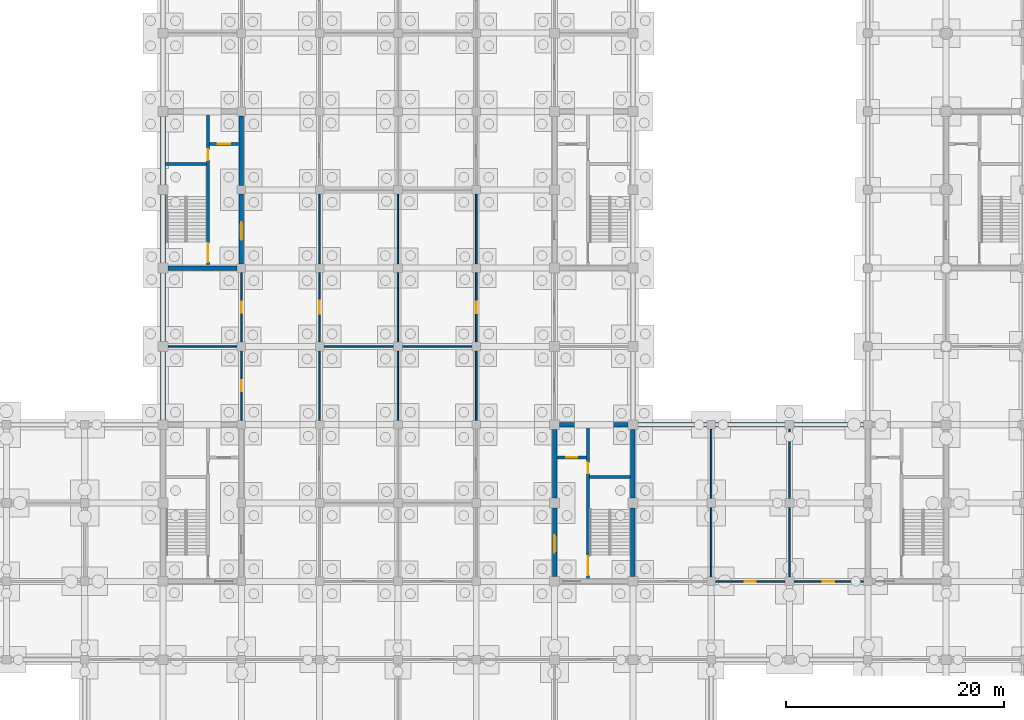
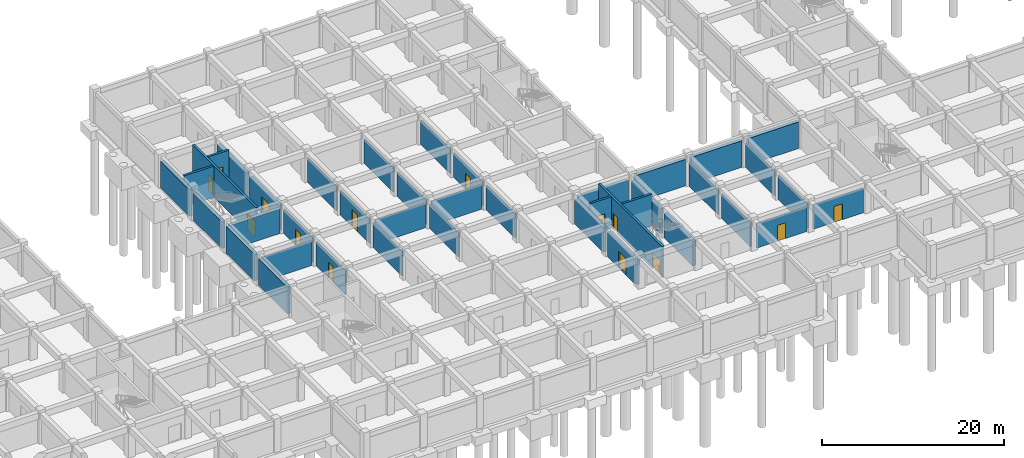
# One storey, part 17 of 25: 41 walls, 14 doors, 14 openings.
"""IFC4 building model written with IfcOpenShell, lengths in metres."""

from ifc_helpers import new_model, si_unit, direction, frame, frame_2d, origin, place, context, subcontext, project, spatial, rectangle, extrude, material, layer, layer_set, type_object, element, fill, save


model = new_model("IFC4")

# Units and contexts
model_context = context("Model", 3, precision=1e-05, world=origin(), true_north=direction((0.0, 1.0)))
body_context = subcontext(model_context, "Body", "Model", "MODEL_VIEW")
ifc_project = project(units=[si_unit("LENGTHUNIT", "METRE"), si_unit("AREAUNIT", "SQUARE_METRE"), si_unit("VOLUMEUNIT", "CUBIC_METRE"), si_unit("PLANEANGLEUNIT", "RADIAN"), si_unit("MASSUNIT", "GRAM", prefix="KILO")], contexts=[model_context])

# Site, building, storey
site_placement = place(None, origin())
site = spatial("IfcSite", under=ifc_project, at=site_placement, CompositionType="ELEMENT")
building_placement = place(site_placement, origin())
building = spatial("IfcBuilding", under=site, at=building_placement, Name="Cendaluz Park School", CompositionType="ELEMENT")
storey_placement = place(building_placement, frame((0.0, 0.0, -4.5)))
storey = spatial("IfcBuildingStorey", under=building, at=storey_placement, Name="B1", CompositionType="ELEMENT", Elevation=-4.5)

# Wall, openings, doors
ifc_material_1 = material(Name="Concrete C40/50", Category="concrete")
ifc_layer_1 = layer(ifc_material_1, 0.280029296875)
ifc_layer_set_1 = layer_set([ifc_layer_1], Name="Concrete C40/50")
wall_type_1 = type_object("IfcWallType", Name="W-FW28", PredefinedType="SHEAR", material=ifc_layer_set_1)
wall_1_placement = place(storey_placement, frame((103.8798828125, 14.60009765625, 0.0), z_axis=(0.0, 0.0, 1.0), x_axis=(0.0, 1.0, 0.0)))
wall_1 = element("IfcWall", 1, at=wall_1_placement, inside=storey, type_object=wall_type_1, Name="WL-BA-BS3", PredefinedType="SHEAR", context=body_context, shape_type="SweptSolid", body=[
    extrude(rectangle(XDim=14.0, YDim=0.280029296875, at=frame_2d((7.0, 0.0))), origin(), (0.0, 0.0, 1.0), 4.199951171875),
])
opening_1_placement = place(wall_1_placement, frame((0.35009765625, 0.0, 0.0)))
opening_1 = element("IfcOpeningElement", 2, at=opening_1_placement, cuts=wall_1, Name="Opening DST-03", PredefinedType="OPENING", context=body_context, shape_type="SweptSolid", body=[
    extrude(rectangle(XDim=1.75, YDim=2.14990234375, at=frame_2d((0.875, 1.074951171875))), frame((0.0, 0.152099609375, 0.0), z_axis=(0.0, -1.0, 0.0), x_axis=(1.0, 0.0, 0.0)), (0.0, 0.0, 1.0), 0.303955078125),
])
opening_2_placement = place(wall_1_placement, frame((9.719970703125, 0.0, 0.0)))
opening_2 = element("IfcOpeningElement", 3, at=opening_2_placement, cuts=wall_1, Name="Opening DFC-01", PredefinedType="OPENING", context=body_context, shape_type="SweptSolid", body=[
    extrude(rectangle(XDim=1.0, YDim=2.14990234375, at=frame_2d((0.5, 1.074951171875))), frame((0.0, 0.152099609375, 0.0), z_axis=(0.0, -1.0, 0.0), x_axis=(1.0, 0.0, 0.0)), (0.0, 0.0, 1.0), 0.303955078125),
])
ifc_material_2 = material(Name="Solid Core Hardwood", Category="wood")
door_type_1 = type_object("IfcDoorType", Name="DFC-01", OperationType="NOTDEFINED", PredefinedType="DOOR", material=ifc_material_2)
door_1_placement = place(opening_2_placement, frame((1.0, 0.0, 0.0), z_axis=(0.0, 0.0, 1.0), x_axis=(-1.0, 0.0, 0.0)))
door_1 = element("IfcDoor", 4, at=door_1_placement, inside=storey, type_object=door_type_1, Name="D-B1-009", OperationType="SINGLE_SWING_LEFT", OverallHeight=2.14990234375, OverallWidth=1.0, PredefinedType="DOOR", context=body_context, shape_type="SweptSolid", body=[
    extrude(rectangle(XDim=1.0, YDim=2.14990234375, at=frame_2d((0.5, 1.074951171875))), frame((0.0, 0.02490234375, 0.0), z_axis=(0.0, -1.0, 0.0), x_axis=(1.0, 0.0, 0.0)), (0.0, 0.0, 1.0), 0.050048828125),
])
fill(opening_2, door_1)
door_type_2 = type_object("IfcDoorType", Name="DST-03", OperationType="DOUBLE_DOOR_SINGLE_SWING", PredefinedType="DOOR", material=ifc_material_2)
door_2_placement = place(opening_1_placement, frame((1.75, 0.0, 0.0), z_axis=(0.0, 0.0, 1.0), x_axis=(-1.0, 0.0, 0.0)))
door_2 = element("IfcDoor", 5, at=door_2_placement, inside=storey, type_object=door_type_2, Name="D-B1-008", OperationType="DOUBLE_DOOR_SINGLE_SWING", OverallHeight=2.14990234375, OverallWidth=1.75, PredefinedType="DOOR", context=body_context, shape_type="SweptSolid", body=[
    extrude(rectangle(XDim=1.75, YDim=2.14990234375, at=frame_2d((0.875, 1.074951171875))), frame((0.0, 0.02490234375, 0.0), z_axis=(0.0, -1.0, 0.0), x_axis=(1.0, 0.0, 0.0)), (0.0, 0.0, 1.0), 0.050048828125),
])
fill(opening_1, door_2)

# Wall
wall_2_placement = place(storey_placement, frame((104.02001953125, 23.97998046875, 0.0), z_axis=(0.0, 0.0, 1.0), x_axis=(1.0, 0.0, 0.0)))
element("IfcWall", 6, at=wall_2_placement, inside=storey, type_object=wall_type_1, Name="WL-BA-BS4", PredefinedType="SHEAR", context=body_context, shape_type="SweptSolid", body=[
    extrude(rectangle(XDim=3.780029296875, YDim=0.280029296875, at=frame_2d((1.89013671875, 0.0))), origin(), (0.0, 0.0, 1.0), 4.199951171875),
])

# Wall, opening, door
wall_3_placement = place(storey_placement, frame((101.0400390625, 25.800048828125, 0.0), z_axis=(0.0, 0.0, 1.0), x_axis=(1.0, 0.0, 0.0)))
wall_3 = element("IfcWall", 7, at=wall_3_placement, inside=storey, type_object=wall_type_1, Name="WL-BA-BS5", PredefinedType="SHEAR", context=body_context, shape_type="SweptSolid", body=[
    extrude(rectangle(XDim=2.679931640625, YDim=0.280029296875, at=frame_2d((1.33984375, 0.0))), origin(), (0.0, 0.0, 1.0), 4.199951171875),
])
opening_3_placement = place(wall_3_placement, frame((0.81494140625, 0.0, 0.0)))
opening_3 = element("IfcOpeningElement", 8, at=opening_3_placement, cuts=wall_3, Name="Opening LD-02", PredefinedType="OPENING", context=body_context, shape_type="SweptSolid", body=[
    extrude(rectangle(XDim=1.050048828125, YDim=2.199951171875, at=frame_2d((0.52490234375, 1.10009765625))), frame((0.0, 0.152099609375, 0.0), z_axis=(0.0, -1.0, 0.0), x_axis=(1.0, 0.0, 0.0)), (0.0, 0.0, 1.0), 0.303955078125),
])
ifc_material_3 = material(Name="Stainless Steel 316L", Category="steel")
door_type_3 = type_object("IfcDoorType", Name="LD-02", OperationType="DOUBLE_DOOR_SLIDING", PredefinedType="DOOR", material=ifc_material_3)
door_3_placement = place(opening_3_placement, frame((1.050048828125, 0.0, 0.0), z_axis=(0.0, 0.0, 1.0), x_axis=(-1.0, 0.0, 0.0)))
door_3 = element("IfcDoor", 9, at=door_3_placement, inside=storey, type_object=door_type_3, Name="D-B1-010", OperationType="DOUBLE_DOOR_SLIDING", OverallHeight=2.199951171875, OverallWidth=1.050048828125, PredefinedType="DOOR", context=body_context, shape_type="SweptSolid", body=[
    extrude(rectangle(XDim=1.050048828125, YDim=2.199951171875, at=frame_2d((0.52490234375, 1.10009765625))), frame((0.0, 0.02490234375, 0.0), z_axis=(0.0, -1.0, 0.0), x_axis=(1.0, 0.0, 0.0)), (0.0, 0.0, 1.0), 0.050048828125),
])
fill(opening_3, door_3)

# Wall, openings, doors
wall_4_placement = place(storey_placement, frame((68.919921875, 43.39990234375, 0.0), z_axis=(0.0, 0.0, 1.0), x_axis=(0.0, 1.0, 0.0)))
wall_4 = element("IfcWall", 10, at=wall_4_placement, inside=storey, type_object=wall_type_1, Name="WL-BA-BT2", PredefinedType="SHEAR", context=body_context, shape_type="SweptSolid", body=[
    extrude(rectangle(XDim=14.0, YDim=0.280029296875, at=frame_2d((7.0, 0.0))), origin(), (0.0, 0.0, 1.0), 4.199951171875),
])
opening_4_placement = place(wall_4_placement, frame((0.35009765625, 0.0, 0.0)))
opening_4 = element("IfcOpeningElement", 11, at=opening_4_placement, cuts=wall_4, Name="Opening DST-03", PredefinedType="OPENING", context=body_context, shape_type="SweptSolid", body=[
    extrude(rectangle(XDim=1.75, YDim=2.14990234375, at=frame_2d((0.875, 1.074951171875))), frame((0.0, 0.152099609375, 0.0), z_axis=(0.0, -1.0, 0.0), x_axis=(1.0, 0.0, 0.0)), (0.0, 0.0, 1.0), 0.303955078125),
])
opening_5_placement = place(wall_4_placement, frame((9.719970703125, 0.0, 0.0)))
opening_5 = element("IfcOpeningElement", 12, at=opening_5_placement, cuts=wall_4, Name="Opening DFC-01", PredefinedType="OPENING", context=body_context, shape_type="SweptSolid", body=[
    extrude(rectangle(XDim=1.0, YDim=2.14990234375, at=frame_2d((0.5, 1.074951171875))), frame((0.0, 0.152099609375, 0.0), z_axis=(0.0, -1.0, 0.0), x_axis=(1.0, 0.0, 0.0)), (0.0, 0.0, 1.0), 0.303955078125),
])
door_4_placement = place(opening_5_placement, origin())
door_4 = element("IfcDoor", 13, at=door_4_placement, inside=storey, type_object=door_type_1, Name="D-B1-013", OperationType="SINGLE_SWING_LEFT", OverallHeight=2.14990234375, OverallWidth=1.0, PredefinedType="DOOR", context=body_context, shape_type="SweptSolid", body=[
    extrude(rectangle(XDim=1.0, YDim=2.14990234375, at=frame_2d((0.5, 1.074951171875))), frame((0.0, 0.02490234375, 0.0), z_axis=(0.0, -1.0, 0.0), x_axis=(1.0, 0.0, 0.0)), (0.0, 0.0, 1.0), 0.050048828125),
])
fill(opening_5, door_4)
door_5_placement = place(opening_4_placement, origin())
door_5 = element("IfcDoor", 14, at=door_5_placement, inside=storey, type_object=door_type_2, Name="D-B1-012", OperationType="DOUBLE_DOOR_SINGLE_SWING", OverallHeight=2.14990234375, OverallWidth=1.75, PredefinedType="DOOR", context=body_context, shape_type="SweptSolid", body=[
    extrude(rectangle(XDim=1.75, YDim=2.14990234375, at=frame_2d((0.875, 1.074951171875))), frame((0.0, 0.02490234375, 0.0), z_axis=(0.0, -1.0, 0.0), x_axis=(1.0, 0.0, 0.0)), (0.0, 0.0, 1.0), 0.050048828125),
])
fill(opening_4, door_5)

# Wall
wall_5_placement = place(storey_placement, frame((65.0, 52.780029296875, 0.0), z_axis=(0.0, 0.0, 1.0), x_axis=(1.0, 0.0, 0.0)))
element("IfcWall", 15, at=wall_5_placement, inside=storey, type_object=wall_type_1, Name="WL-BA-BT3", PredefinedType="SHEAR", context=body_context, shape_type="SweptSolid", body=[
    extrude(rectangle(XDim=3.780029296875, YDim=0.280029296875, at=frame_2d((1.89013671875, 0.0))), origin(), (0.0, 0.0, 1.0), 4.199951171875),
])

# Wall, opening, door
wall_6_placement = place(storey_placement, frame((69.080078125, 54.60009765625, 0.0), z_axis=(0.0, 0.0, 1.0), x_axis=(1.0, 0.0, 0.0)))
wall_6 = element("IfcWall", 16, at=wall_6_placement, inside=storey, type_object=wall_type_1, Name="WL-BA-BT4", PredefinedType="SHEAR", context=body_context, shape_type="SweptSolid", body=[
    extrude(rectangle(XDim=2.679931640625, YDim=0.280029296875, at=frame_2d((1.33984375, 0.0))), origin(), (0.0, 0.0, 1.0), 4.199951171875),
])
opening_6_placement = place(wall_6_placement, frame((0.764892578125, 0.0, 0.0)))
opening_6 = element("IfcOpeningElement", 17, at=opening_6_placement, cuts=wall_6, Name="Opening LD-01", PredefinedType="OPENING", context=body_context, shape_type="SweptSolid", body=[
    extrude(rectangle(XDim=1.14990234375, YDim=2.199951171875, at=frame_2d((0.574951171875, 1.10009765625))), frame((0.0, 0.152099609375, 0.0), z_axis=(0.0, -1.0, 0.0), x_axis=(1.0, 0.0, 0.0)), (0.0, 0.0, 1.0), 0.303955078125),
])
door_type_4 = type_object("IfcDoorType", Name="LD-01", OperationType="DOUBLE_DOOR_SLIDING", PredefinedType="DOOR", material=ifc_material_3)
door_6_placement = place(opening_6_placement, frame((1.14990234375, 0.0, 0.0), z_axis=(0.0, 0.0, 1.0), x_axis=(-1.0, 0.0, 0.0)))
door_6 = element("IfcDoor", 18, at=door_6_placement, inside=storey, type_object=door_type_4, Name="D-B1-014", OperationType="DOUBLE_DOOR_SLIDING", OverallHeight=2.199951171875, OverallWidth=1.14990234375, PredefinedType="DOOR", context=body_context, shape_type="SweptSolid", body=[
    extrude(rectangle(XDim=1.14990234375, YDim=2.199951171875, at=frame_2d((0.574951171875, 1.10009765625))), frame((0.0, 0.02490234375, 0.0), z_axis=(0.0, -1.0, 0.0), x_axis=(1.0, 0.0, 0.0)), (0.0, 0.0, 1.0), 0.050048828125),
])
fill(opening_6, door_6)

# Walls
ifc_layer_2 = layer(ifc_material_1, 0.449951171875)
ifc_layer_set_2 = layer_set([ifc_layer_2], Name="Concrete C40/50")
wall_type_2 = type_object("IfcWallType", Name="W-RT45", PredefinedType="SOLIDWALL", material=ifc_layer_set_2)
for number, where, z_axis, x_axis, name in (
    (19, (64.800048828125, 29.25, 0.0), (0.0, 0.0, 1.0), (0.0, 1.0, 0.0), "WL-BA-AF5"),
    (20, (64.800048828125, 36.449951171875, 0.0), (0.0, 0.0, 1.0), (0.0, 1.0, 0.0), "WL-BA-AF6"),
):
    element("IfcWall", number, at=place(storey_placement, frame(where, z_axis=z_axis, x_axis=x_axis)), inside=storey, type_object=wall_type_2, Name=name, PredefinedType="SOLIDWALL", context=body_context, shape_type="SweptSolid", body=[
        extrude(rectangle(XDim=6.300048828125, YDim=0.449951171875, at=frame_2d((3.14990234375, 0.0))), origin(), (0.0, 0.0, 1.0), 3.570068359375),
    ])
wall_7_placement = place(storey_placement, frame((108.449951171875, 28.800048828125, 0.0), z_axis=(0.0, 0.0, 1.0), x_axis=(1.0, 0.0, 0.0)))
element("IfcWall", 21, at=wall_7_placement, inside=storey, type_object=wall_type_2, Name="WL-BA-AH6", PredefinedType="SOLIDWALL", context=body_context, shape_type="SweptSolid", body=[
    extrude(rectangle(XDim=6.35009765625, YDim=0.449951171875, at=frame_2d((3.175048828125, 0.0))), origin(), (0.0, 0.0, 1.0), 3.570068359375),
])
for number, where, z_axis, x_axis, name in (
    (22, (115.60009765625, 28.800048828125, 0.0), (0.0, 0.0, 1.0), (1.0, 0.0, 0.0), "WL-BA-AH8"),
    (23, (122.800048828125, 28.800048828125, 0.0), (0.0, 0.0, 1.0), (1.0, 0.0, 0.0), "WL-BA-AI0"),
):
    element("IfcWall", number, at=place(storey_placement, frame(where, z_axis=z_axis, x_axis=x_axis)), inside=storey, type_object=wall_type_2, Name=name, PredefinedType="SOLIDWALL", context=body_context, shape_type="SweptSolid", body=[
        extrude(rectangle(XDim=6.39990234375, YDim=0.449951171875, at=frame_2d((3.199951171875, 0.0))), origin(), (0.0, 0.0, 1.0), 3.570068359375),
    ])

# Wall, opening, door
ifc_layer_3 = layer(ifc_material_1, 0.419921875)
ifc_layer_set_3 = layer_set([ifc_layer_3], Name="Concrete C40/50")
wall_type_3 = type_object("IfcWallType", Name="W-SH42", PredefinedType="SHEAR", material=ifc_layer_set_3)
wall_8_placement = place(storey_placement, frame((100.800048828125, 14.85009765625, 0.0), z_axis=(0.0, 0.0, 1.0), x_axis=(0.0, 1.0, 0.0)))
wall_8 = element("IfcWall", 24, at=wall_8_placement, inside=storey, type_object=wall_type_3, Name="WL-BA-BR7", PredefinedType="SHEAR", context=body_context, shape_type="SweptSolid", body=[
    extrude(rectangle(XDim=6.2998046875, YDim=0.419921875, at=frame_2d((3.14990234375, 0.0))), origin(), (0.0, 0.0, 1.0), 3.300048828125),
])
opening_7_placement = place(wall_8_placement, frame((2.199951171875, 0.0, 0.0)))
opening_7 = element("IfcOpeningElement", 25, at=opening_7_placement, cuts=wall_8, Name="Opening DLB-01", PredefinedType="OPENING", context=body_context, shape_type="SweptSolid", body=[
    extrude(rectangle(XDim=1.60009765625, YDim=2.199951171875, at=frame_2d((0.800048828125, 1.10009765625))), frame((0.0, 0.221923828125, 0.0), z_axis=(0.0, -1.0, 0.0), x_axis=(1.0, 0.0, 0.0)), (0.0, 0.0, 1.0), 0.44384765625),
])
door_type_5 = type_object("IfcDoorType", Name="DLB-01", OperationType="DOUBLE_DOOR_SINGLE_SWING", PredefinedType="DOOR", material=ifc_material_2)
door_7_placement = place(opening_7_placement, frame((1.60009765625, 0.0, 0.0), z_axis=(0.0, 0.0, 1.0), x_axis=(-1.0, 0.0, 0.0)))
door_7 = element("IfcDoor", 26, at=door_7_placement, inside=storey, type_object=door_type_5, Name="D-B1-006", OperationType="DOUBLE_DOOR_SINGLE_SWING", OverallHeight=2.199951171875, OverallWidth=1.60009765625, PredefinedType="DOOR", context=body_context, shape_type="SweptSolid", body=[
    extrude(rectangle(XDim=1.60009765625, YDim=2.199951171875, at=frame_2d((0.800048828125, 1.10009765625))), frame((0.0, 0.02490234375, 0.0), z_axis=(0.0, -1.0, 0.0), x_axis=(1.0, 0.0, 0.0)), (0.0, 0.0, 1.0), 0.050048828125),
])
fill(opening_7, door_7)

# Walls
wall_9_placement = place(storey_placement, frame((100.800048828125, 22.050048828125, 0.0), z_axis=(0.0, 0.0, 1.0), x_axis=(0.0, 1.0, 0.0)))
element("IfcWall", 27, at=wall_9_placement, inside=storey, type_object=wall_type_3, Name="WL-BA-BR8", PredefinedType="SHEAR", context=body_context, shape_type="SweptSolid", body=[
    extrude(rectangle(XDim=6.300048828125, YDim=0.419921875, at=frame_2d((3.14990234375, 0.0))), origin(), (0.0, 0.0, 1.0), 3.300048828125),
])
wall_10_placement = place(storey_placement, frame((108.0, 14.85009765625, 0.0), z_axis=(0.0, 0.0, 1.0), x_axis=(0.0, 1.0, 0.0)))
element("IfcWall", 28, at=wall_10_placement, inside=storey, type_object=wall_type_3, Name="WL-BA-BR9", PredefinedType="SHEAR", context=body_context, shape_type="SweptSolid", body=[
    extrude(rectangle(XDim=6.2998046875, YDim=0.419921875, at=frame_2d((3.14990234375, 0.0))), origin(), (0.0, 0.0, 1.0), 3.300048828125),
])
for number, where, z_axis, x_axis, name in (
    (29, (108.0, 22.050048828125, 0.0), (0.0, 0.0, 1.0), (0.0, 1.0, 0.0), "WL-BA-BS0"),
    (30, (101.25, 28.800048828125, 0.0), (0.0, 0.0, 1.0), (1.0, 0.0, 0.0), "WL-BA-BS2"),
):
    element("IfcWall", number, at=place(storey_placement, frame(where, z_axis=z_axis, x_axis=x_axis)), inside=storey, type_object=wall_type_3, Name=name, PredefinedType="SHEAR", context=body_context, shape_type="SweptSolid", body=[
        extrude(rectangle(XDim=6.300048828125, YDim=0.419921875, at=frame_2d((3.14990234375, 0.0))), origin(), (0.0, 0.0, 1.0), 3.300048828125),
    ])
wall_11_placement = place(storey_placement, frame((64.800048828125, 43.64990234375, 0.0), z_axis=(0.0, 0.0, 1.0), x_axis=(0.0, 1.0, 0.0)))
element("IfcWall", 31, at=wall_11_placement, inside=storey, type_object=wall_type_3, Name="WL-BA-BS6", PredefinedType="SHEAR", context=body_context, shape_type="SweptSolid", body=[
    extrude(rectangle(XDim=6.300048828125, YDim=0.419921875, at=frame_2d((3.14990234375, 0.0))), origin(), (0.0, 0.0, 1.0), 3.570068359375),
])
wall_12_placement = place(storey_placement, frame((64.800048828125, 50.85009765625, 0.0), z_axis=(0.0, 0.0, 1.0), x_axis=(0.0, 1.0, 0.0)))
element("IfcWall", 32, at=wall_12_placement, inside=storey, type_object=wall_type_3, Name="WL-BA-BS7", PredefinedType="SHEAR", context=body_context, shape_type="SweptSolid", body=[
    extrude(rectangle(XDim=6.2998046875, YDim=0.419921875, at=frame_2d((3.14990234375, 0.0))), origin(), (0.0, 0.0, 1.0), 3.570068359375),
])

# Wall, opening, door
wall_13_placement = place(storey_placement, frame((72.0, 43.60009765625, 0.0), z_axis=(0.0, 0.0, 1.0), x_axis=(0.0, 1.0, 0.0)))
wall_13 = element("IfcWall", 33, at=wall_13_placement, inside=storey, type_object=wall_type_3, Name="WL-BA-BS8", PredefinedType="SHEAR", context=body_context, shape_type="SweptSolid", body=[
    extrude(rectangle(XDim=6.39990234375, YDim=0.419921875, at=frame_2d((3.199951171875, 0.0))), origin(), (0.0, 0.0, 1.0), 3.300048828125),
])
opening_8_placement = place(wall_13_placement, frame((2.199951171875, 0.0, 0.0)))
opening_8 = element("IfcOpeningElement", 34, at=opening_8_placement, cuts=wall_13, Name="Opening DLB-01", PredefinedType="OPENING", context=body_context, shape_type="SweptSolid", body=[
    extrude(rectangle(XDim=1.60009765625, YDim=2.199951171875, at=frame_2d((0.800048828125, 1.10009765625))), frame((0.0, 0.221923828125, 0.0), z_axis=(0.0, -1.0, 0.0), x_axis=(1.0, 0.0, 0.0)), (0.0, 0.0, 1.0), 0.44384765625),
])
door_8_placement = place(opening_8_placement, origin())
door_8 = element("IfcDoor", 35, at=door_8_placement, inside=storey, type_object=door_type_5, Name="D-B1-011", OperationType="DOUBLE_DOOR_SINGLE_SWING", OverallHeight=2.199951171875, OverallWidth=1.60009765625, PredefinedType="DOOR", context=body_context, shape_type="SweptSolid", body=[
    extrude(rectangle(XDim=1.60009765625, YDim=2.199951171875, at=frame_2d((0.800048828125, 1.10009765625))), frame((0.0, 0.02490234375, 0.0), z_axis=(0.0, -1.0, 0.0), x_axis=(1.0, 0.0, 0.0)), (0.0, 0.0, 1.0), 0.050048828125),
])
fill(opening_8, door_8)

# Walls
wall_14_placement = place(storey_placement, frame((72.0, 50.800048828125, 0.0), z_axis=(0.0, 0.0, 1.0), x_axis=(0.0, 1.0, 0.0)))
element("IfcWall", 36, at=wall_14_placement, inside=storey, type_object=wall_type_3, Name="WL-BA-BS9", PredefinedType="SHEAR", context=body_context, shape_type="SweptSolid", body=[
    extrude(rectangle(XDim=6.39990234375, YDim=0.419921875, at=frame_2d((3.199951171875, 0.0))), origin(), (0.0, 0.0, 1.0), 3.300048828125),
])
wall_15_placement = place(storey_placement, frame((65.25, 43.199951171875, 0.0), z_axis=(0.0, 0.0, 1.0), x_axis=(1.0, 0.0, 0.0)))
element("IfcWall", 37, at=wall_15_placement, inside=storey, type_object=wall_type_3, Name="WL-BA-BT0", PredefinedType="SHEAR", context=body_context, shape_type="SweptSolid", body=[
    extrude(rectangle(XDim=6.35009765625, YDim=0.419921875, at=frame_2d((3.175048828125, 0.0))), origin(), (0.0, 0.0, 1.0), 3.300048828125),
])
ifc_material_4 = material(Name="Gypsum Plasterboard on Cold-Formed Stud", Category="gypsum")
ifc_layer_4 = layer(ifc_material_4, 0.139892578125)
ifc_layer_set_4 = layer_set([ifc_layer_4], Name="Gypsum Plasterboard on Cold-Formed Stud")
wall_type_4 = type_object("IfcWallType", Name="W-ST14", PredefinedType="PARTITIONING", material=ifc_layer_set_4)
for number, where, z_axis, x_axis, name in (
    (38, (115.199951171875, 14.800048828125, 0.0), (0.0, 0.0, 1.0), (0.0, 1.0, 0.0), "WL-BA-CH2"),
    (39, (115.199951171875, 22.0, 0.0), (0.0, 0.0, 1.0), (0.0, 1.0, 0.0), "WL-BA-CH3"),
):
    element("IfcWall", number, at=place(storey_placement, frame(where, z_axis=z_axis, x_axis=x_axis)), inside=storey, type_object=wall_type_4, Name=name, PredefinedType="PARTITIONING", context=body_context, shape_type="SweptSolid", body=[
        extrude(rectangle(XDim=6.39990234375, YDim=0.139892578125, at=frame_2d((3.199951171875, 0.0))), origin(), (0.0, 0.0, 1.0), 3.300048828125),
    ])

# Wall, opening, door
wall_16_placement = place(storey_placement, frame((115.60009765625, 14.39990234375, 0.0), z_axis=(0.0, 0.0, 1.0), x_axis=(1.0, 0.0, 0.0)))
wall_16 = element("IfcWall", 40, at=wall_16_placement, inside=storey, type_object=wall_type_4, Name="WL-BA-CH4", PredefinedType="PARTITIONING", context=body_context, shape_type="SweptSolid", body=[
    extrude(rectangle(XDim=6.39990234375, YDim=0.139892578125, at=frame_2d((3.199951171875, 0.0))), origin(), (0.0, 0.0, 1.0), 3.300048828125),
])
opening_9_placement = place(wall_16_placement, frame((2.68994140625, 0.0, 0.0)))
opening_9 = element("IfcOpeningElement", 41, at=opening_9_placement, cuts=wall_16, Name="Opening DCL-02", PredefinedType="OPENING", context=body_context, shape_type="SweptSolid", body=[
    extrude(rectangle(XDim=1.02001953125, YDim=2.1201171875, at=frame_2d((0.510009765625, 1.06005859375))), frame((0.0, 0.08203125, 0.0), z_axis=(0.0, -1.0, 0.0), x_axis=(1.0, 0.0, 0.0)), (0.0, 0.0, 1.0), 0.163818359375),
])
door_type_6 = type_object("IfcDoorType", Name="DCL-02", OperationType="NOTDEFINED", PredefinedType="DOOR", material=ifc_material_2)
door_9_placement = place(opening_9_placement, origin())
door_9 = element("IfcDoor", 42, at=door_9_placement, inside=storey, type_object=door_type_6, Name="D-B1-056", OperationType="SINGLE_SWING_LEFT", OverallHeight=2.1201171875, OverallWidth=1.02001953125, PredefinedType="DOOR", context=body_context, shape_type="SweptSolid", body=[
    extrude(rectangle(XDim=1.02001953125, YDim=2.1201171875, at=frame_2d((0.510009765625, 1.06005859375))), frame((0.0, 0.02490234375, 0.0), z_axis=(0.0, -1.0, 0.0), x_axis=(1.0, 0.0, 0.0)), (0.0, 0.0, 1.0), 0.050048828125),
])
fill(opening_9, door_9)

# Walls
for number, where, z_axis, x_axis, name in (
    (43, (122.39990234375, 14.800048828125, 0.0), (0.0, 0.0, 1.0), (0.0, 1.0, 0.0), "WL-BA-CH5"),
    (44, (122.39990234375, 22.0, 0.0), (0.0, 0.0, 1.0), (0.0, 1.0, 0.0), "WL-BA-CH6"),
):
    element("IfcWall", number, at=place(storey_placement, frame(where, z_axis=z_axis, x_axis=x_axis)), inside=storey, type_object=wall_type_4, Name=name, PredefinedType="PARTITIONING", context=body_context, shape_type="SweptSolid", body=[
        extrude(rectangle(XDim=6.39990234375, YDim=0.139892578125, at=frame_2d((3.199951171875, 0.0))), origin(), (0.0, 0.0, 1.0), 3.300048828125),
    ])

# Wall, opening, door
wall_17_placement = place(storey_placement, frame((122.800048828125, 14.39990234375, 0.0), z_axis=(0.0, 0.0, 1.0), x_axis=(1.0, 0.0, 0.0)))
wall_17 = element("IfcWall", 45, at=wall_17_placement, inside=storey, type_object=wall_type_4, Name="WL-BA-CH7", PredefinedType="PARTITIONING", context=body_context, shape_type="SweptSolid", body=[
    extrude(rectangle(XDim=6.39990234375, YDim=0.139892578125, at=frame_2d((3.199951171875, 0.0))), origin(), (0.0, 0.0, 1.0), 3.300048828125),
])
opening_10_placement = place(wall_17_placement, frame((2.679931640625, 0.0, 0.0)))
opening_10 = element("IfcOpeningElement", 46, at=opening_10_placement, cuts=wall_17, Name="Opening DCL-03", PredefinedType="OPENING", context=body_context, shape_type="SweptSolid", body=[
    extrude(rectangle(XDim=1.0400390625, YDim=2.139892578125, at=frame_2d((0.52001953125, 1.06982421875))), frame((0.0, 0.08203125, 0.0), z_axis=(0.0, -1.0, 0.0), x_axis=(1.0, 0.0, 0.0)), (0.0, 0.0, 1.0), 0.163818359375),
])
door_type_7 = type_object("IfcDoorType", Name="DCL-03", OperationType="NOTDEFINED", PredefinedType="DOOR", material=ifc_material_2)
door_10_placement = place(opening_10_placement, origin())
door_10 = element("IfcDoor", 47, at=door_10_placement, inside=storey, type_object=door_type_7, Name="D-B1-057", OperationType="SINGLE_SWING_RIGHT", OverallHeight=2.139892578125, OverallWidth=1.0400390625, PredefinedType="DOOR", context=body_context, shape_type="SweptSolid", body=[
    extrude(rectangle(XDim=1.0400390625, YDim=2.139892578125, at=frame_2d((0.52001953125, 1.06982421875))), frame((0.0, 0.02490234375, 0.0), z_axis=(0.0, -1.0, 0.0), x_axis=(1.0, 0.0, 0.0)), (0.0, 0.0, 1.0), 0.050048828125),
])
fill(opening_10, door_10)

# Wall
wall_18_placement = place(storey_placement, frame((65.25, 36.0, 0.0), z_axis=(0.0, 0.0, 1.0), x_axis=(1.0, 0.0, 0.0)))
element("IfcWall", 48, at=wall_18_placement, inside=storey, type_object=wall_type_4, Name="WL-BA-CK0", PredefinedType="PARTITIONING", context=body_context, shape_type="SweptSolid", body=[
    extrude(rectangle(XDim=6.35009765625, YDim=0.139892578125, at=frame_2d((3.175048828125, 0.0))), origin(), (0.0, 0.0, 1.0), 3.300048828125),
])

# Wall, opening, door
wall_19_placement = place(storey_placement, frame((72.0, 29.199951171875, 0.0), z_axis=(0.0, 0.0, 1.0), x_axis=(0.0, 1.0, 0.0)))
wall_19 = element("IfcWall", 49, at=wall_19_placement, inside=storey, type_object=wall_type_4, Name="WL-BA-CK1", PredefinedType="PARTITIONING", context=body_context, shape_type="SweptSolid", body=[
    extrude(rectangle(XDim=6.400146484375, YDim=0.139892578125, at=frame_2d((3.2001953125, 0.0))), origin(), (0.0, 0.0, 1.0), 3.300048828125),
])
opening_11_placement = place(wall_19_placement, frame((2.68994140625, 0.0, 0.0)))
opening_11 = element("IfcOpeningElement", 50, at=opening_11_placement, cuts=wall_19, Name="Opening DCL-02", PredefinedType="OPENING", context=body_context, shape_type="SweptSolid", body=[
    extrude(rectangle(XDim=1.02001953125, YDim=2.1201171875, at=frame_2d((0.510009765625, 1.06005859375))), frame((0.0, 0.08203125, 0.0), z_axis=(0.0, -1.0, 0.0), x_axis=(1.0, 0.0, 0.0)), (0.0, 0.0, 1.0), 0.163818359375),
])
door_11_placement = place(opening_11_placement, origin())
door_11 = element("IfcDoor", 51, at=door_11_placement, inside=storey, type_object=door_type_6, Name="D-B1-066", OperationType="SINGLE_SWING_LEFT", OverallHeight=2.1201171875, OverallWidth=1.02001953125, PredefinedType="DOOR", context=body_context, shape_type="SweptSolid", body=[
    extrude(rectangle(XDim=1.02001953125, YDim=2.1201171875, at=frame_2d((0.510009765625, 1.06005859375))), frame((0.0, 0.02490234375, 0.0), z_axis=(0.0, -1.0, 0.0), x_axis=(1.0, 0.0, 0.0)), (0.0, 0.0, 1.0), 0.050048828125),
])
fill(opening_11, door_11)

wall_20_placement = place(storey_placement, frame((72.0, 36.39990234375, 0.0), z_axis=(0.0, 0.0, 1.0), x_axis=(0.0, 1.0, 0.0)))
wall_20 = element("IfcWall", 52, at=wall_20_placement, inside=storey, type_object=wall_type_4, Name="WL-BA-CK2", PredefinedType="PARTITIONING", context=body_context, shape_type="SweptSolid", body=[
    extrude(rectangle(XDim=6.400146484375, YDim=0.139892578125, at=frame_2d((3.2001953125, 0.0))), origin(), (0.0, 0.0, 1.0), 3.300048828125),
])
opening_12_placement = place(wall_20_placement, frame((2.679931640625, 0.0, 0.0)))
opening_12 = element("IfcOpeningElement", 53, at=opening_12_placement, cuts=wall_20, Name="Opening DCL-03", PredefinedType="OPENING", context=body_context, shape_type="SweptSolid", body=[
    extrude(rectangle(XDim=1.0400390625, YDim=2.139892578125, at=frame_2d((0.52001953125, 1.06982421875))), frame((0.0, 0.08203125, 0.0), z_axis=(0.0, -1.0, 0.0), x_axis=(1.0, 0.0, 0.0)), (0.0, 0.0, 1.0), 0.163818359375),
])
door_12_placement = place(opening_12_placement, origin())
door_12 = element("IfcDoor", 54, at=door_12_placement, inside=storey, type_object=door_type_7, Name="D-B1-067", OperationType="SINGLE_SWING_RIGHT", OverallHeight=2.139892578125, OverallWidth=1.0400390625, PredefinedType="DOOR", context=body_context, shape_type="SweptSolid", body=[
    extrude(rectangle(XDim=1.0400390625, YDim=2.139892578125, at=frame_2d((0.52001953125, 1.06982421875))), frame((0.0, 0.02490234375, 0.0), z_axis=(0.0, -1.0, 0.0), x_axis=(1.0, 0.0, 0.0)), (0.0, 0.0, 1.0), 0.050048828125),
])
fill(opening_12, door_12)

# Walls
wall_21_placement = place(storey_placement, frame((79.60009765625, 36.0, 0.0), z_axis=(0.0, 0.0, 1.0), x_axis=(1.0, 0.0, 0.0)))
element("IfcWall", 55, at=wall_21_placement, inside=storey, type_object=wall_type_4, Name="WL-BA-CL2", PredefinedType="PARTITIONING", context=body_context, shape_type="SweptSolid", body=[
    extrude(rectangle(XDim=6.39990234375, YDim=0.139892578125, at=frame_2d((3.199951171875, 0.0))), origin(), (0.0, 0.0, 1.0), 3.300048828125),
])
for number, where, z_axis, x_axis, name in (
    (56, (79.199951171875, 29.199951171875, 0.0), (0.0, 0.0, 1.0), (0.0, 1.0, 0.0), "WL-BA-CL3"),
    (57, (86.39990234375, 29.199951171875, 0.0), (0.0, 0.0, 1.0), (0.0, 1.0, 0.0), "WL-BA-CL4"),
):
    element("IfcWall", number, at=place(storey_placement, frame(where, z_axis=z_axis, x_axis=x_axis)), inside=storey, type_object=wall_type_4, Name=name, PredefinedType="PARTITIONING", context=body_context, shape_type="SweptSolid", body=[
        extrude(rectangle(XDim=6.400146484375, YDim=0.139892578125, at=frame_2d((3.2001953125, 0.0))), origin(), (0.0, 0.0, 1.0), 3.300048828125),
    ])

# Wall, opening, door
wall_22_placement = place(storey_placement, frame((79.199951171875, 36.39990234375, 0.0), z_axis=(0.0, 0.0, 1.0), x_axis=(0.0, 1.0, 0.0)))
wall_22 = element("IfcWall", 58, at=wall_22_placement, inside=storey, type_object=wall_type_4, Name="WL-BA-CL5", PredefinedType="PARTITIONING", context=body_context, shape_type="SweptSolid", body=[
    extrude(rectangle(XDim=6.400146484375, YDim=0.139892578125, at=frame_2d((3.2001953125, 0.0))), origin(), (0.0, 0.0, 1.0), 3.300048828125),
])
opening_13_placement = place(wall_22_placement, frame((2.60009765625, 0.0, 0.0)))
opening_13 = element("IfcOpeningElement", 59, at=opening_13_placement, cuts=wall_22, Name="Opening DCL-08", PredefinedType="OPENING", context=body_context, shape_type="SweptSolid", body=[
    extrude(rectangle(XDim=1.199951171875, YDim=2.239990234375, at=frame_2d((0.60009765625, 1.1201171875))), frame((0.0, 0.08203125, 0.0), z_axis=(0.0, -1.0, 0.0), x_axis=(1.0, 0.0, 0.0)), (0.0, 0.0, 1.0), 0.163818359375),
])
door_type_8 = type_object("IfcDoorType", Name="DCL-08", OperationType="NOTDEFINED", PredefinedType="DOOR", material=ifc_material_2)
door_13_placement = place(opening_13_placement, frame((1.199951171875, 0.0, 0.0), z_axis=(0.0, 0.0, 1.0), x_axis=(-1.0, 0.0, 0.0)))
door_13 = element("IfcDoor", 60, at=door_13_placement, inside=storey, type_object=door_type_8, Name="D-B1-072", OperationType="SINGLE_SWING_LEFT", OverallHeight=2.239990234375, OverallWidth=1.199951171875, PredefinedType="DOOR", context=body_context, shape_type="SweptSolid", body=[
    extrude(rectangle(XDim=1.199951171875, YDim=2.239990234375, at=frame_2d((0.60009765625, 1.1201171875))), frame((0.0, 0.02490234375, 0.0), z_axis=(0.0, -1.0, 0.0), x_axis=(1.0, 0.0, 0.0)), (0.0, 0.0, 1.0), 0.050048828125),
])
fill(opening_13, door_13)

# Walls
wall_23_placement = place(storey_placement, frame((86.39990234375, 36.39990234375, 0.0), z_axis=(0.0, 0.0, 1.0), x_axis=(0.0, 1.0, 0.0)))
element("IfcWall", 61, at=wall_23_placement, inside=storey, type_object=wall_type_4, Name="WL-BA-CL6", PredefinedType="PARTITIONING", context=body_context, shape_type="SweptSolid", body=[
    extrude(rectangle(XDim=6.400146484375, YDim=0.139892578125, at=frame_2d((3.2001953125, 0.0))), origin(), (0.0, 0.0, 1.0), 3.300048828125),
])
for number, where, z_axis, x_axis, name in (
    (62, (79.199951171875, 43.60009765625, 0.0), (0.0, 0.0, 1.0), (0.0, 1.0, 0.0), "WL-BA-CL8"),
    (63, (86.39990234375, 43.60009765625, 0.0), (0.0, 0.0, 1.0), (0.0, 1.0, 0.0), "WL-BA-CL9"),
    (64, (86.800048828125, 36.0, 0.0), (0.0, 0.0, 1.0), (1.0, 0.0, 0.0), "WL-BA-CN4"),
):
    element("IfcWall", number, at=place(storey_placement, frame(where, z_axis=z_axis, x_axis=x_axis)), inside=storey, type_object=wall_type_4, Name=name, PredefinedType="PARTITIONING", context=body_context, shape_type="SweptSolid", body=[
        extrude(rectangle(XDim=6.39990234375, YDim=0.139892578125, at=frame_2d((3.199951171875, 0.0))), origin(), (0.0, 0.0, 1.0), 3.300048828125),
    ])
wall_24_placement = place(storey_placement, frame((93.60009765625, 29.199951171875, 0.0), z_axis=(0.0, 0.0, 1.0), x_axis=(0.0, 1.0, 0.0)))
element("IfcWall", 65, at=wall_24_placement, inside=storey, type_object=wall_type_4, Name="WL-BA-CN5", PredefinedType="PARTITIONING", context=body_context, shape_type="SweptSolid", body=[
    extrude(rectangle(XDim=6.400146484375, YDim=0.139892578125, at=frame_2d((3.2001953125, 0.0))), origin(), (0.0, 0.0, 1.0), 3.300048828125),
])

# Wall, opening, door
wall_25_placement = place(storey_placement, frame((93.60009765625, 36.39990234375, 0.0), z_axis=(0.0, 0.0, 1.0), x_axis=(0.0, 1.0, 0.0)))
wall_25 = element("IfcWall", 66, at=wall_25_placement, inside=storey, type_object=wall_type_4, Name="WL-BA-CN6", PredefinedType="PARTITIONING", context=body_context, shape_type="SweptSolid", body=[
    extrude(rectangle(XDim=6.400146484375, YDim=0.139892578125, at=frame_2d((3.2001953125, 0.0))), origin(), (0.0, 0.0, 1.0), 3.300048828125),
])
opening_14_placement = place(wall_25_placement, frame((2.669921875, 0.0, 0.0)))
opening_14 = element("IfcOpeningElement", 67, at=opening_14_placement, cuts=wall_25, Name="Opening DCL-04", PredefinedType="OPENING", context=body_context, shape_type="SweptSolid", body=[
    extrude(rectangle(XDim=1.06005859375, YDim=2.159912109375, at=frame_2d((0.530029296875, 1.080078125))), frame((0.0, 0.08203125, 0.0), z_axis=(0.0, -1.0, 0.0), x_axis=(1.0, 0.0, 0.0)), (0.0, 0.0, 1.0), 0.163818359375),
])
door_type_9 = type_object("IfcDoorType", Name="DCL-04", OperationType="NOTDEFINED", PredefinedType="DOOR", material=ifc_material_2)
door_14_placement = place(opening_14_placement, origin())
door_14 = element("IfcDoor", 68, at=door_14_placement, inside=storey, type_object=door_type_9, Name="D-B1-078", OperationType="SINGLE_SWING_LEFT", OverallHeight=2.159912109375, OverallWidth=1.06005859375, PredefinedType="DOOR", context=body_context, shape_type="SweptSolid", body=[
    extrude(rectangle(XDim=1.06005859375, YDim=2.159912109375, at=frame_2d((0.530029296875, 1.080078125))), frame((0.0, 0.02490234375, 0.0), z_axis=(0.0, -1.0, 0.0), x_axis=(1.0, 0.0, 0.0)), (0.0, 0.0, 1.0), 0.050048828125),
])
fill(opening_14, door_14)

# Wall
wall_26_placement = place(storey_placement, frame((93.60009765625, 43.60009765625, 0.0), z_axis=(0.0, 0.0, 1.0), x_axis=(0.0, 1.0, 0.0)))
element("IfcWall", 69, at=wall_26_placement, inside=storey, type_object=wall_type_4, Name="WL-BA-CN8", PredefinedType="PARTITIONING", context=body_context, shape_type="SweptSolid", body=[
    extrude(rectangle(XDim=6.39990234375, YDim=0.139892578125, at=frame_2d((3.199951171875, 0.0))), origin(), (0.0, 0.0, 1.0), 3.300048828125),
])

save(model, "model.ifc")
